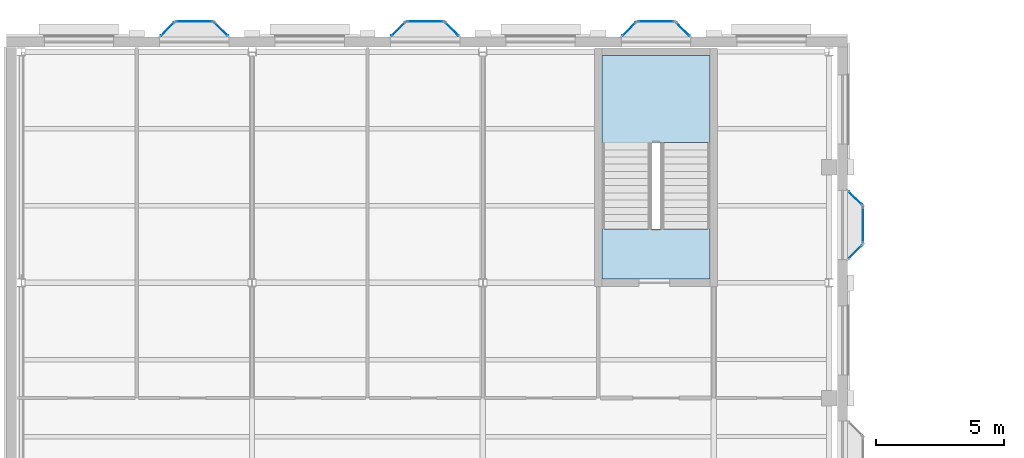
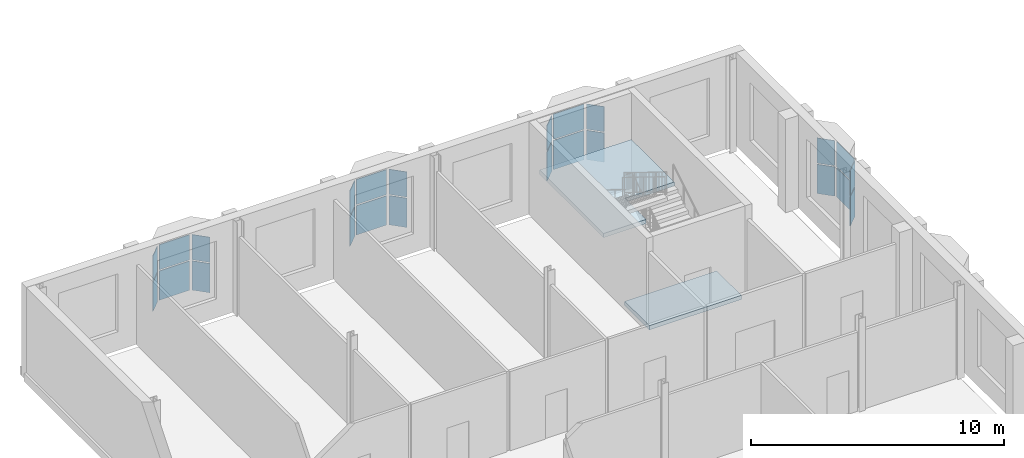
# One storey, part 21 of 59: 24 plates, 2 slabs, 13 elements without a shape of their own.
"""IFC4 building model written with IfcOpenShell, lengths in metres."""

from ifc_helpers import new_model, si_unit, direction, frame, origin, origin_2d, place, context, subcontext, project, spatial, polyline, rectangle, outline, extrude, material, layer, layer_set, type_object, element, aggregate, save


model = new_model("IFC4")

# Units and contexts
model_context = context("Model", 3, precision=1e-05, world=origin(), true_north=direction((0.0, 1.0)))
body_context = subcontext(model_context, "Body", "Model", "MODEL_VIEW")
ifc_project = project(units=[si_unit("LENGTHUNIT", "METRE"), si_unit("AREAUNIT", "SQUARE_METRE"), si_unit("VOLUMEUNIT", "CUBIC_METRE"), si_unit("PLANEANGLEUNIT", "RADIAN"), si_unit("MASSUNIT", "GRAM", prefix="KILO")], contexts=[model_context])

# Site, building, storey
site_placement = place(None, origin())
site = spatial("IfcSite", under=ifc_project, at=site_placement, CompositionType="ELEMENT")
building_placement = place(site_placement, origin())
building = spatial("IfcBuilding", under=site, at=building_placement, Name="Hortulan Conservatory and Botanical Research Centre", CompositionType="ELEMENT")
storey_placement = place(building_placement, frame((0.0, 0.0, 10.5)))
storey = spatial("IfcBuildingStorey", under=building, at=storey_placement, Name="L02", CompositionType="ELEMENT", Elevation=10.5)

# Curtain wall, plates
ifc_material_1 = material(Name="Bronze-finished aluminium", Category="aluminium")
ifc_layer_1 = layer(ifc_material_1, 0.10009765625)
ifc_layer_set_1 = layer_set([ifc_layer_1], Name="Oriel Curtain Wall 1350 module")
curtain_wall_type = type_object("IfcCurtainWallType", Name="Oriel Curtain Wall 1350 module", PredefinedType="NOTDEFINED", material=ifc_layer_set_1)
curtain_wall_1_placement = place(storey_placement, origin())
curtain_wall_1 = element("IfcCurtainWall", 1, at=curtain_wall_1_placement, inside=storey, type_object=curtain_wall_type, Name="Oriel glazing", PredefinedType="NOTDEFINED")
ifc_material_2 = material(Name="Low-e laminated glass", Category="glass")
ifc_layer_2 = layer(ifc_material_2, 0.028076171875)
ifc_layer_set_2 = layer_set([ifc_layer_2], Name="Laminated Glass Panel 28")
plate_type = type_object("IfcPlateType", Name="Laminated Glass Panel 28", PredefinedType="CURTAIN_PANEL", material=ifc_layer_set_2)
plate_1_placement = place(storey_placement, frame((5.699951171875, 72.885498046875, 0.9599609375), z_axis=(0.0, 0.0, 1.0), x_axis=(0.707106781187, 0.707106781187, 0.0)))
plate_1 = element("IfcPlate", 2, at=plate_1_placement, type_object=plate_type, Name="CW2 panel 1.1", PredefinedType="CURTAIN_PANEL", context=body_context, shape_type="SweptSolid", body=[
    extrude(rectangle(XDim=0.728515625, YDim=0.028076171875, at=origin_2d()), origin(), (0.0, 0.0, 1.0), 1.409912109375),
])
plate_2_placement = place(storey_placement, frame((5.699951171875, 72.885498046875, 2.429931640625), z_axis=(0.0, 0.0, 1.0), x_axis=(0.707106781187, 0.707106781187, 0.0)))
plate_2 = element("IfcPlate", 3, at=plate_2_placement, type_object=plate_type, Name="CW2 panel 1.2", PredefinedType="CURTAIN_PANEL", context=body_context, shape_type="SweptSolid", body=[
    extrude(rectangle(XDim=0.728515625, YDim=0.028076171875, at=origin_2d()), origin(), (0.0, 0.0, 1.0), 1.2099609375),
])
aggregate(curtain_wall_1, [plate_1, plate_2])

curtain_wall_2_placement = place(storey_placement, origin())
curtain_wall_2 = element("IfcCurtainWall", 4, at=curtain_wall_2_placement, inside=storey, type_object=curtain_wall_type, Name="Oriel glazing", PredefinedType="NOTDEFINED")
plate_3_placement = place(storey_placement, frame((6.75, 73.185546875, 0.9599609375), z_axis=(0.0, 0.0, 1.0), x_axis=(1.0, 0.0, 0.0)))
plate_3 = element("IfcPlate", 5, at=plate_3_placement, type_object=plate_type, Name="CW2 panel 1.1", PredefinedType="CURTAIN_PANEL", context=body_context, shape_type="SweptSolid", body=[
    extrude(rectangle(XDim=1.3798828125, YDim=0.028076171875, at=origin_2d()), origin(), (0.0, 0.0, 1.0), 1.409912109375),
])
plate_4_placement = place(storey_placement, frame((6.75, 73.185546875, 2.429931640625), z_axis=(0.0, 0.0, 1.0), x_axis=(1.0, 0.0, 0.0)))
plate_4 = element("IfcPlate", 6, at=plate_4_placement, type_object=plate_type, Name="CW2 panel 1.2", PredefinedType="CURTAIN_PANEL", context=body_context, shape_type="SweptSolid", body=[
    extrude(rectangle(XDim=1.3798828125, YDim=0.028076171875, at=origin_2d()), origin(), (0.0, 0.0, 1.0), 1.2099609375),
])
aggregate(curtain_wall_2, [plate_3, plate_4])

curtain_wall_3_placement = place(storey_placement, origin())
curtain_wall_3 = element("IfcCurtainWall", 7, at=curtain_wall_3_placement, inside=storey, type_object=curtain_wall_type, Name="Oriel glazing", PredefinedType="NOTDEFINED")
plate_5_placement = place(storey_placement, frame((7.800048828125, 72.885498046875, 0.9599609375), z_axis=(0.0, 0.0, 1.0), x_axis=(0.707106781187, -0.707106781187, 0.0)))
plate_5 = element("IfcPlate", 8, at=plate_5_placement, type_object=plate_type, Name="CW2 panel 1.1", PredefinedType="CURTAIN_PANEL", context=body_context, shape_type="SweptSolid", body=[
    extrude(rectangle(XDim=0.728515625, YDim=0.028076171875, at=origin_2d()), origin(), (0.0, 0.0, 1.0), 1.409912109375),
])
plate_6_placement = place(storey_placement, frame((7.800048828125, 72.885498046875, 2.429931640625), z_axis=(0.0, 0.0, 1.0), x_axis=(0.707106781187, -0.707106781187, 0.0)))
plate_6 = element("IfcPlate", 9, at=plate_6_placement, type_object=plate_type, Name="CW2 panel 1.2", PredefinedType="CURTAIN_PANEL", context=body_context, shape_type="SweptSolid", body=[
    extrude(rectangle(XDim=0.728515625, YDim=0.028076171875, at=origin_2d()), origin(), (0.0, 0.0, 1.0), 1.2099609375),
])
aggregate(curtain_wall_3, [plate_5, plate_6])

curtain_wall_4_placement = place(storey_placement, origin())
curtain_wall_4 = element("IfcCurtainWall", 10, at=curtain_wall_4_placement, inside=storey, type_object=curtain_wall_type, Name="Oriel glazing", PredefinedType="NOTDEFINED")
plate_7_placement = place(storey_placement, frame((14.699951171875, 72.885498046875, 0.9599609375), z_axis=(0.0, 0.0, 1.0), x_axis=(0.707106781187, 0.707106781187, 0.0)))
plate_7 = element("IfcPlate", 11, at=plate_7_placement, type_object=plate_type, Name="CW2 panel 1.1", PredefinedType="CURTAIN_PANEL", context=body_context, shape_type="SweptSolid", body=[
    extrude(rectangle(XDim=0.728515625, YDim=0.028076171875, at=origin_2d()), origin(), (0.0, 0.0, 1.0), 1.409912109375),
])
plate_8_placement = place(storey_placement, frame((14.699951171875, 72.885498046875, 2.429931640625), z_axis=(0.0, 0.0, 1.0), x_axis=(0.707106781187, 0.707106781187, 0.0)))
plate_8 = element("IfcPlate", 12, at=plate_8_placement, type_object=plate_type, Name="CW2 panel 1.2", PredefinedType="CURTAIN_PANEL", context=body_context, shape_type="SweptSolid", body=[
    extrude(rectangle(XDim=0.728515625, YDim=0.028076171875, at=origin_2d()), origin(), (0.0, 0.0, 1.0), 1.2099609375),
])
aggregate(curtain_wall_4, [plate_7, plate_8])

curtain_wall_5_placement = place(storey_placement, origin())
curtain_wall_5 = element("IfcCurtainWall", 13, at=curtain_wall_5_placement, inside=storey, type_object=curtain_wall_type, Name="Oriel glazing", PredefinedType="NOTDEFINED")
plate_9_placement = place(storey_placement, frame((15.75, 73.185546875, 0.9599609375), z_axis=(0.0, 0.0, 1.0), x_axis=(1.0, 0.0, 0.0)))
plate_9 = element("IfcPlate", 14, at=plate_9_placement, type_object=plate_type, Name="CW2 panel 1.1", PredefinedType="CURTAIN_PANEL", context=body_context, shape_type="SweptSolid", body=[
    extrude(rectangle(XDim=1.3798828125, YDim=0.028076171875, at=origin_2d()), origin(), (0.0, 0.0, 1.0), 1.409912109375),
])
plate_10_placement = place(storey_placement, frame((15.75, 73.185546875, 2.429931640625), z_axis=(0.0, 0.0, 1.0), x_axis=(1.0, 0.0, 0.0)))
plate_10 = element("IfcPlate", 15, at=plate_10_placement, type_object=plate_type, Name="CW2 panel 1.2", PredefinedType="CURTAIN_PANEL", context=body_context, shape_type="SweptSolid", body=[
    extrude(rectangle(XDim=1.3798828125, YDim=0.028076171875, at=origin_2d()), origin(), (0.0, 0.0, 1.0), 1.2099609375),
])
aggregate(curtain_wall_5, [plate_9, plate_10])

curtain_wall_6_placement = place(storey_placement, origin())
curtain_wall_6 = element("IfcCurtainWall", 16, at=curtain_wall_6_placement, inside=storey, type_object=curtain_wall_type, Name="Oriel glazing", PredefinedType="NOTDEFINED")
plate_11_placement = place(storey_placement, frame((16.800048828125, 72.885498046875, 0.9599609375), z_axis=(0.0, 0.0, 1.0), x_axis=(0.707106781187, -0.707106781187, 0.0)))
plate_11 = element("IfcPlate", 17, at=plate_11_placement, type_object=plate_type, Name="CW2 panel 1.1", PredefinedType="CURTAIN_PANEL", context=body_context, shape_type="SweptSolid", body=[
    extrude(rectangle(XDim=0.728515625, YDim=0.028076171875, at=origin_2d()), origin(), (0.0, 0.0, 1.0), 1.409912109375),
])
plate_12_placement = place(storey_placement, frame((16.800048828125, 72.885498046875, 2.429931640625), z_axis=(0.0, 0.0, 1.0), x_axis=(0.707106781187, -0.707106781187, 0.0)))
plate_12 = element("IfcPlate", 18, at=plate_12_placement, type_object=plate_type, Name="CW2 panel 1.2", PredefinedType="CURTAIN_PANEL", context=body_context, shape_type="SweptSolid", body=[
    extrude(rectangle(XDim=0.728515625, YDim=0.028076171875, at=origin_2d()), origin(), (0.0, 0.0, 1.0), 1.2099609375),
])
aggregate(curtain_wall_6, [plate_11, plate_12])

curtain_wall_7_placement = place(storey_placement, origin())
curtain_wall_7 = element("IfcCurtainWall", 19, at=curtain_wall_7_placement, inside=storey, type_object=curtain_wall_type, Name="Oriel glazing", PredefinedType="NOTDEFINED")
plate_13_placement = place(storey_placement, frame((23.699951171875, 72.885498046875, 0.9599609375), z_axis=(0.0, 0.0, 1.0), x_axis=(0.707106781187, 0.707106781187, 0.0)))
plate_13 = element("IfcPlate", 20, at=plate_13_placement, type_object=plate_type, Name="CW2 panel 1.1", PredefinedType="CURTAIN_PANEL", context=body_context, shape_type="SweptSolid", body=[
    extrude(rectangle(XDim=0.728515625, YDim=0.028076171875, at=origin_2d()), origin(), (0.0, 0.0, 1.0), 1.409912109375),
])
plate_14_placement = place(storey_placement, frame((23.699951171875, 72.885498046875, 2.429931640625), z_axis=(0.0, 0.0, 1.0), x_axis=(0.707106781187, 0.707106781187, 0.0)))
plate_14 = element("IfcPlate", 21, at=plate_14_placement, type_object=plate_type, Name="CW2 panel 1.2", PredefinedType="CURTAIN_PANEL", context=body_context, shape_type="SweptSolid", body=[
    extrude(rectangle(XDim=0.728515625, YDim=0.028076171875, at=origin_2d()), origin(), (0.0, 0.0, 1.0), 1.2099609375),
])
aggregate(curtain_wall_7, [plate_13, plate_14])

curtain_wall_8_placement = place(storey_placement, origin())
curtain_wall_8 = element("IfcCurtainWall", 22, at=curtain_wall_8_placement, inside=storey, type_object=curtain_wall_type, Name="Oriel glazing", PredefinedType="NOTDEFINED")
plate_15_placement = place(storey_placement, frame((24.75, 73.185546875, 0.9599609375), z_axis=(0.0, 0.0, 1.0), x_axis=(1.0, 0.0, 0.0)))
plate_15 = element("IfcPlate", 23, at=plate_15_placement, type_object=plate_type, Name="CW2 panel 1.1", PredefinedType="CURTAIN_PANEL", context=body_context, shape_type="SweptSolid", body=[
    extrude(rectangle(XDim=1.3798828125, YDim=0.028076171875, at=origin_2d()), origin(), (0.0, 0.0, 1.0), 1.409912109375),
])
plate_16_placement = place(storey_placement, frame((24.75, 73.185546875, 2.429931640625), z_axis=(0.0, 0.0, 1.0), x_axis=(1.0, 0.0, 0.0)))
plate_16 = element("IfcPlate", 24, at=plate_16_placement, type_object=plate_type, Name="CW2 panel 1.2", PredefinedType="CURTAIN_PANEL", context=body_context, shape_type="SweptSolid", body=[
    extrude(rectangle(XDim=1.3798828125, YDim=0.028076171875, at=origin_2d()), origin(), (0.0, 0.0, 1.0), 1.2099609375),
])
aggregate(curtain_wall_8, [plate_15, plate_16])

curtain_wall_9_placement = place(storey_placement, origin())
curtain_wall_9 = element("IfcCurtainWall", 25, at=curtain_wall_9_placement, inside=storey, type_object=curtain_wall_type, Name="Oriel glazing", PredefinedType="NOTDEFINED")
plate_17_placement = place(storey_placement, frame((25.800048828125, 72.885498046875, 0.9599609375), z_axis=(0.0, 0.0, 1.0), x_axis=(0.707106781187, -0.707106781187, 0.0)))
plate_17 = element("IfcPlate", 26, at=plate_17_placement, type_object=plate_type, Name="CW2 panel 1.1", PredefinedType="CURTAIN_PANEL", context=body_context, shape_type="SweptSolid", body=[
    extrude(rectangle(XDim=0.728515625, YDim=0.028076171875, at=origin_2d()), origin(), (0.0, 0.0, 1.0), 1.409912109375),
])
plate_18_placement = place(storey_placement, frame((25.800048828125, 72.885498046875, 2.429931640625), z_axis=(0.0, 0.0, 1.0), x_axis=(0.707106781187, -0.707106781187, 0.0)))
plate_18 = element("IfcPlate", 27, at=plate_18_placement, type_object=plate_type, Name="CW2 panel 1.2", PredefinedType="CURTAIN_PANEL", context=body_context, shape_type="SweptSolid", body=[
    extrude(rectangle(XDim=0.728515625, YDim=0.028076171875, at=origin_2d()), origin(), (0.0, 0.0, 1.0), 1.2099609375),
])
aggregate(curtain_wall_9, [plate_17, plate_18])

curtain_wall_10_placement = place(storey_placement, origin())
curtain_wall_10 = element("IfcCurtainWall", 28, at=curtain_wall_10_placement, inside=storey, type_object=curtain_wall_type, Name="Oriel glazing", PredefinedType="NOTDEFINED")
plate_19_placement = place(storey_placement, frame((32.52490234375, 66.300048828125, 0.9599609375), z_axis=(0.0, 0.0, 1.0), x_axis=(0.707106781187, -0.707106781187, 0.0)))
plate_19 = element("IfcPlate", 29, at=plate_19_placement, type_object=plate_type, Name="CW2 panel 1.1", PredefinedType="CURTAIN_PANEL", context=body_context, shape_type="SweptSolid", body=[
    extrude(rectangle(XDim=0.728515625, YDim=0.028076171875, at=origin_2d()), origin(), (0.0, 0.0, 1.0), 1.409912109375),
])
plate_20_placement = place(storey_placement, frame((32.52490234375, 66.300048828125, 2.429931640625), z_axis=(0.0, 0.0, 1.0), x_axis=(0.707106781187, -0.707106781187, 0.0)))
plate_20 = element("IfcPlate", 30, at=plate_20_placement, type_object=plate_type, Name="CW2 panel 1.2", PredefinedType="CURTAIN_PANEL", context=body_context, shape_type="SweptSolid", body=[
    extrude(rectangle(XDim=0.728515625, YDim=0.028076171875, at=origin_2d()), origin(), (0.0, 0.0, 1.0), 1.2099609375),
])
aggregate(curtain_wall_10, [plate_19, plate_20])

curtain_wall_11_placement = place(storey_placement, origin())
curtain_wall_11 = element("IfcCurtainWall", 31, at=curtain_wall_11_placement, inside=storey, type_object=curtain_wall_type, Name="Oriel glazing", PredefinedType="NOTDEFINED")
plate_21_placement = place(storey_placement, frame((32.824951171875, 65.25, 0.9599609375), z_axis=(0.0, 0.0, 1.0), x_axis=(0.0, -1.0, 0.0)))
plate_21 = element("IfcPlate", 32, at=plate_21_placement, type_object=plate_type, Name="CW2 panel 1.1", PredefinedType="CURTAIN_PANEL", context=body_context, shape_type="SweptSolid", body=[
    extrude(rectangle(XDim=1.3798828125, YDim=0.028076171875, at=origin_2d()), origin(), (0.0, 0.0, 1.0), 1.409912109375),
])
plate_22_placement = place(storey_placement, frame((32.824951171875, 65.25, 2.429931640625), z_axis=(0.0, 0.0, 1.0), x_axis=(0.0, -1.0, 0.0)))
plate_22 = element("IfcPlate", 33, at=plate_22_placement, type_object=plate_type, Name="CW2 panel 1.2", PredefinedType="CURTAIN_PANEL", context=body_context, shape_type="SweptSolid", body=[
    extrude(rectangle(XDim=1.3798828125, YDim=0.028076171875, at=origin_2d()), origin(), (0.0, 0.0, 1.0), 1.2099609375),
])
aggregate(curtain_wall_11, [plate_21, plate_22])

curtain_wall_12_placement = place(storey_placement, origin())
curtain_wall_12 = element("IfcCurtainWall", 34, at=curtain_wall_12_placement, inside=storey, type_object=curtain_wall_type, Name="Oriel glazing", PredefinedType="NOTDEFINED")
plate_23_placement = place(storey_placement, frame((32.52490234375, 64.199951171875, 0.9599609375), z_axis=(0.0, 0.0, 1.0), x_axis=(-0.707106781187, -0.707106781187, 0.0)))
plate_23 = element("IfcPlate", 35, at=plate_23_placement, type_object=plate_type, Name="CW2 panel 1.1", PredefinedType="CURTAIN_PANEL", context=body_context, shape_type="SweptSolid", body=[
    extrude(rectangle(XDim=0.728515625, YDim=0.028076171875, at=origin_2d()), origin(), (0.0, 0.0, 1.0), 1.409912109375),
])
plate_24_placement = place(storey_placement, frame((32.52490234375, 64.199951171875, 2.429931640625), z_axis=(0.0, 0.0, 1.0), x_axis=(-0.707106781187, -0.707106781187, 0.0)))
plate_24 = element("IfcPlate", 36, at=plate_24_placement, type_object=plate_type, Name="CW2 panel 1.2", PredefinedType="CURTAIN_PANEL", context=body_context, shape_type="SweptSolid", body=[
    extrude(rectangle(XDim=0.728515625, YDim=0.028076171875, at=origin_2d()), origin(), (0.0, 0.0, 1.0), 1.2099609375),
])
aggregate(curtain_wall_12, [plate_23, plate_24])

# Stair, slab
ifc_material_3 = material(Name="Concrete N40 (40 MPa, AS 3600)", Category="concrete")
stair_type = type_object("IfcStairType", Name="Concrete Escape Stair 1950", PredefinedType="HALF_TURN_STAIR", material=ifc_material_3)
stair_placement = place(storey_placement, origin())
stair = element("IfcStair", 37, at=stair_placement, inside=storey, type_object=stair_type, Name="Stair V2 L02", PredefinedType="HALF_TURN_STAIR")
ifc_layer_3 = layer(ifc_material_3, 0.199951171875)
ifc_layer_set_3 = layer_set([ifc_layer_3], Name="Stair Landing 200")
slab_type = type_object("IfcSlabType", Name="Stair Landing 200", PredefinedType="LANDING", material=ifc_layer_set_3)
slab_1_placement = place(storey_placement, frame((0.0, 0.0, 2.050048828125)))
slab_1 = element("IfcSlab", 38, at=slab_1_placement, type_object=slab_type, Name="Stair V2 L02 half landing 1", PredefinedType="LANDING", context=body_context, shape_type="SweptSolid", body=[
    extrude(outline(polyline([(26.85009765625, 68.45947265625), (24.60009765625, 68.45947265625), (24.60009765625, 66.780029296875), (22.64990234375, 66.780029296875), (22.64990234375, 68.45947265625), (22.64990234375, 68.4599609375), (22.64990234375, 68.469970703125), (22.64990234375, 71.85009765625), (26.85009765625, 71.85009765625), (26.85009765625, 68.469970703125), (26.85009765625, 68.4599609375), (26.85009765625, 68.45947265625)])), origin(), (0.0, 0.0, 1.0), 0.199951171875),
])
aggregate(stair, [slab_1])

# Slab
slab_2_placement = place(storey_placement, frame((0.0, 0.0, -0.199951171875)))
element("IfcSlab", 39, at=slab_2_placement, inside=storey, type_object=slab_type, Name="Stair V2 floor landing L02", PredefinedType="LANDING", context=body_context, shape_type="SweptSolid", body=[
    extrude(outline(polyline([(26.85009765625, 63.14990234375), (22.64990234375, 63.14990234375), (22.64990234375, 65.10009765625), (26.85009765625, 65.10009765625), (26.85009765625, 63.14990234375)])), origin(), (0.0, 0.0, 1.0), 0.199951171875),
])

save(model, "model.ifc")
